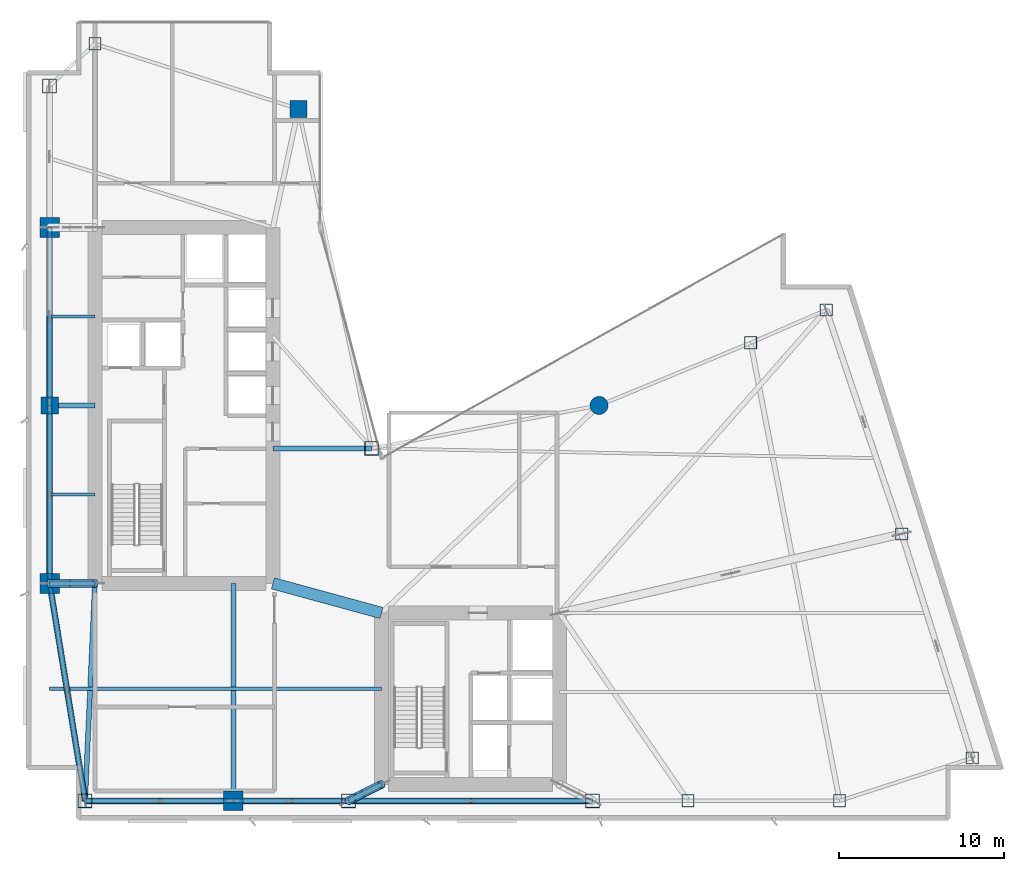
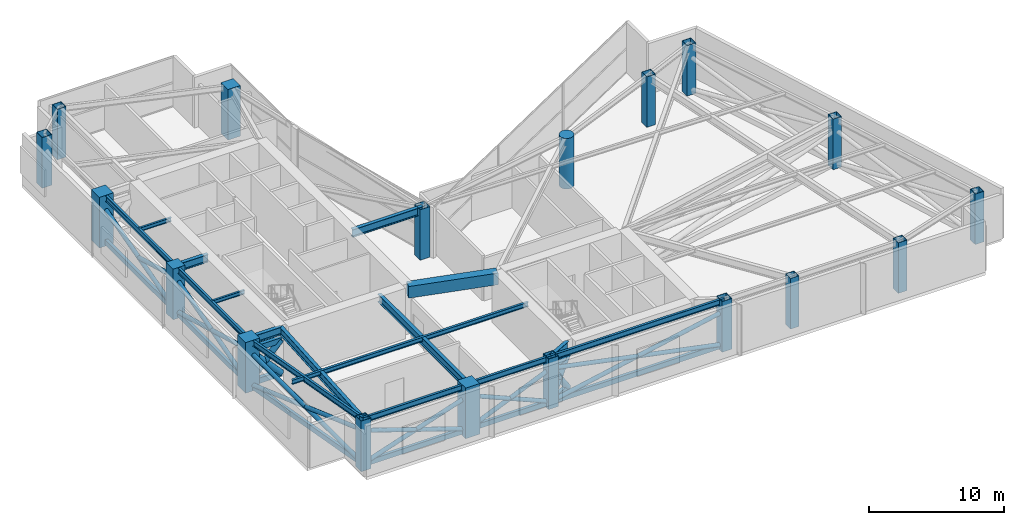
# One storey, part 1 of 19: 33 members, 18 columns, 16 beams.
"""IFC4 building model written with IfcOpenShell, lengths in metres."""

import ifcopenshell
import ifcopenshell.guid

model = None  # the IFC model being written
_history = None  # IfcOwnerHistory: only IFC2X3 demands one
_inside = {}  # id of a spatial element -> (the spatial element, [elements in it])
_under = {}  # id of a project, library or spatial element -> (it, [spatial elements below it])
_declared = {}  # id of a project -> (the project, [libraries it declares])
_typed = {}  # id of a type object -> (the type object, [elements of that type])
_made_of = {}  # id of a material, layer set ... -> (it, [elements and type objects made of it])


def new_model(schema):
    """Start an empty IFC model of exactly this schema.

    Asked for "IFC4X3", IfcOpenShell would pick the latest addendum, in which some entities
    have other attributes; the version numbers below select the first issue.
    IFC2X3 requires an IfcOwnerHistory on every rooted entity: one is made here for all.
    """
    global model, _history
    if schema == "IFC4X3":
        model = ifcopenshell.file(schema_version=(4, 3, 0, 0))
    else:
        model = ifcopenshell.file(schema=schema)
    _inside.clear()
    _under.clear()
    _declared.clear()
    _typed.clear()
    _made_of.clear()
    _history = None
    if model.schema == "IFC2X3":
        org = make("IfcOrganization", Name="unknown")
        user = make(
            "IfcPersonAndOrganization",
            ThePerson=make("IfcPerson", FamilyName="unknown"),
            TheOrganization=org,
        )
        app = make(
            "IfcApplication",
            ApplicationDeveloper=org,
            Version="unknown",
            ApplicationFullName="unknown",
            ApplicationIdentifier="unknown",
        )
        _history = make(
            "IfcOwnerHistory",
            OwningUser=user,
            OwningApplication=app,
            ChangeAction="ADDED",
            CreationDate=0,
        )
    return model


def make(cls, **values):
    """One entity of the class cls with the attributes given. An attribute that is None is left unset."""
    return model.create_entity(
        cls, **{name: value for name, value in values.items() if value is not None}
    )


def rooted(cls, **values):
    """An entity with a GlobalId (a new one), such as an element, a storey or a relation."""
    return make(cls, GlobalId=ifcopenshell.guid.new(), OwnerHistory=_history, **values)


def si_unit(unit_type, name, prefix=None):
    """IfcSIUnit, for example si_unit("LENGTHUNIT", "METRE", prefix="MILLI")."""
    return make("IfcSIUnit", UnitType=unit_type, Prefix=prefix, Name=name)


def assignment(units):
    """IfcUnitAssignment: the units of a project."""
    return None if units is None else make("IfcUnitAssignment", Units=units)


def point(xyz):
    """IfcCartesianPoint."""
    return None if xyz is None else make("IfcCartesianPoint", Coordinates=xyz)


def direction(xyz):
    """IfcDirection."""
    return None if xyz is None else make("IfcDirection", DirectionRatios=xyz)


def frame(location, z_axis=None, x_axis=None):
    """IfcAxis2Placement3D, a coordinate frame: its origin and axes. An axis left out is left unset."""
    return make(
        "IfcAxis2Placement3D",
        Location=point(location),
        Axis=direction(z_axis),
        RefDirection=direction(x_axis),
    )


def frame_2d(location, x_axis=None):
    """IfcAxis2Placement2D, a coordinate frame in the plane: its origin and x axis."""
    return make(
        "IfcAxis2Placement2D", Location=point(location), RefDirection=direction(x_axis)
    )


def origin():
    """The frame at (0, 0, 0) with its axes left unset."""
    return frame((0.0, 0.0, 0.0))


def origin_2d():
    """The frame at (0, 0) in the plane with its x axis left unset."""
    return frame_2d((0.0, 0.0))


def place(relative_to, where):
    """IfcLocalPlacement: puts the frame where relative to a parent placement (None: the world)."""
    return make(
        "IfcLocalPlacement", PlacementRelTo=relative_to, RelativePlacement=where
    )


def context(
    kind, dimensions, precision=None, world=None, true_north=None, identifier=None
):
    """IfcGeometricRepresentationContext, for example the 3D "Model" context."""
    return make(
        "IfcGeometricRepresentationContext",
        ContextIdentifier=identifier,
        ContextType=kind,
        CoordinateSpaceDimension=dimensions,
        Precision=precision,
        WorldCoordinateSystem=world,
        TrueNorth=true_north,
    )


def subcontext(parent, identifier, kind, view, scale=None):
    """IfcGeometricRepresentationSubContext, for example "Body" below "Model"."""
    return make(
        "IfcGeometricRepresentationSubContext",
        ContextIdentifier=identifier,
        ContextType=kind,
        ParentContext=parent,
        TargetScale=scale,
        TargetView=view,
    )


def project(units=None, contexts=None):
    """IfcProject with its units and contexts."""
    return rooted(
        "IfcProject",
        Name="project",
        RepresentationContexts=contexts,
        UnitsInContext=assignment(units),
    )


def spatial(cls, under=None, at=None, **own):
    """A site, building, storey or space (cls), placed at a placement, below another one or the project."""
    s = rooted(cls, ObjectPlacement=at, **own)
    if under is not None:
        _under.setdefault(under.id(), (under, []))[1].append(s)
    return s


def profile(cls, at=None, kind="AREA", **sizes):
    """A parametric profile (cls). Its sizes go by their IFC names, for example OverallWidth=200.0."""
    return make(cls, ProfileType=kind, Position=at, **sizes)


def rectangle(**sizes):
    """IfcRectangleProfileDef."""
    return profile("IfcRectangleProfileDef", **sizes)


def hollow_rectangle(**sizes):
    """IfcRectangleHollowProfileDef."""
    return profile("IfcRectangleHollowProfileDef", **sizes)


def circle(**sizes):
    """IfcCircleProfileDef."""
    return profile("IfcCircleProfileDef", **sizes)


def hollow_circle(**sizes):
    """IfcCircleHollowProfileDef."""
    return profile("IfcCircleHollowProfileDef", **sizes)


def i_section(**sizes):
    """IfcIShapeProfileDef."""
    return profile("IfcIShapeProfileDef", **sizes)


def extrude(swept, where, along, depth):
    """IfcExtrudedAreaSolid: the profile swept, set in the frame where, extruded along a direction by depth."""
    return make(
        "IfcExtrudedAreaSolid",
        SweptArea=swept,
        Position=where,
        ExtrudedDirection=direction(along),
        Depth=depth,
    )


def shape(context_of_items, identifier, shape_type, items):
    """IfcShapeRepresentation: the items that make up one representation, for example the "Body"."""
    return make(
        "IfcShapeRepresentation",
        ContextOfItems=context_of_items,
        RepresentationIdentifier=identifier,
        RepresentationType=shape_type,
        Items=items,
    )


def material(Name=None, Category=None):
    """IfcMaterial."""
    return make("IfcMaterial", Name=Name, Category=Category)


def material_profile(
    of_material, cross_section, Name=None, Category=None, Priority=None
):
    """IfcMaterialProfile: a cross section and its material."""
    return make(
        "IfcMaterialProfile",
        Name=Name,
        Material=of_material,
        Profile=cross_section,
        Priority=Priority,
        Category=Category,
    )


def profile_set(profiles, Name=None, composite=None):
    """IfcMaterialProfileSet."""
    return make(
        "IfcMaterialProfileSet",
        Name=Name,
        MaterialProfiles=profiles,
        CompositeProfile=composite,
    )


def made_of(thing, what):
    """Note that an element or type object is made of a material, layer set ...; save() writes the relation."""
    if what is not None:
        _made_of.setdefault(what.id(), (what, []))[1].append(thing)
    return thing


def type_object(cls, material=None, **own):
    """A type object (cls), such as IfcWallType, which elements share."""
    return made_of(rooted(cls, **own), material)


def element(
    cls,
    number,
    at=None,
    inside=None,
    cuts=None,
    type_object=None,
    material=None,
    context=None,
    identifier="Body",
    shape_type=None,
    held_by="IfcProductDefinitionShape",
    body=None,
    shapes=None,
    **own,
):
    """One element of the class cls, such as IfcWall. Its Tag is "e" and its number.

    at: its placement. inside: the storey or other place that contains it. cuts: it is an
    opening in that element (IfcRelVoidsElement). A single representation is given by context,
    identifier, shape_type and body (its items); several are given by shapes. held_by: the class
    of the entity that holds the representations. save() writes the other relations.
    """
    e = rooted(cls, Tag="e%d" % number, ObjectPlacement=at, **own)
    if body is not None:
        shapes = [shape(context, identifier, shape_type, body)]
    if shapes is not None:
        e.Representation = make(held_by, Representations=shapes)
    if inside is not None:
        _inside.setdefault(inside.id(), (inside, []))[1].append(e)
    if cuts is not None:
        rooted(
            "IfcRelVoidsElement", RelatingBuildingElement=cuts, RelatedOpeningElement=e
        )
    if type_object is not None:
        _typed.setdefault(type_object.id(), (type_object, []))[1].append(e)
    return made_of(e, material)


def aggregate(whole, parts):
    """IfcRelAggregates: a whole, such as a stair, and the parts it consists of."""
    return rooted("IfcRelAggregates", RelatingObject=whole, RelatedObjects=parts)


def save(model, path):
    """Write the relations noted so far, then the file.

    IfcRelAggregates (storeys below a building ...), IfcRelContainedInSpatialStructure (elements
    in a storey), IfcRelDefinesByType, IfcRelAssociatesMaterial and IfcRelDeclares: one each for
    every whole, place, type object, material and project.
    """
    for whole, parts in _under.values():
        aggregate(whole, parts)
    for where, things in _inside.values():
        rooted(
            "IfcRelContainedInSpatialStructure",
            RelatedElements=things,
            RelatingStructure=where,
        )
    for kind, things in _typed.values():
        rooted("IfcRelDefinesByType", RelatedObjects=things, RelatingType=kind)
    for what, things in _made_of.values():
        rooted("IfcRelAssociatesMaterial", RelatedObjects=things, RelatingMaterial=what)
    for by, libraries in _declared.values():
        rooted("IfcRelDeclares", RelatingContext=by, RelatedDefinitions=libraries)
    model.write(path)


model = new_model("IFC4")

# Units and contexts
model_context = context("Model", 3, precision=1e-05, world=origin(), true_north=direction((0.0, 1.0)))
body_context = subcontext(model_context, "Body", "Model", "MODEL_VIEW")
ifc_project = project(units=[si_unit("LENGTHUNIT", "METRE"), si_unit("AREAUNIT", "SQUARE_METRE"), si_unit("VOLUMEUNIT", "CUBIC_METRE"), si_unit("PLANEANGLEUNIT", "RADIAN"), si_unit("MASSUNIT", "GRAM", prefix="KILO")], contexts=[model_context])

# Site, building, storey
site_placement = place(None, origin())
site = spatial("IfcSite", under=ifc_project, at=site_placement, CompositionType="ELEMENT")
building_placement = place(site_placement, origin())
building = spatial("IfcBuilding", under=site, at=building_placement, Name="Calvorn Quay Hotel", CompositionType="ELEMENT")
storey_placement = place(building_placement, frame((0.0, 0.0, 139.199951171875)))
storey = spatial("IfcBuildingStorey", under=building, at=storey_placement, Name="L34", CompositionType="ELEMENT", Elevation=139.199951171875)

# Columns
ifc_material_1 = material(Name="Concrete C50", Category="concrete")
ifc_material_profile_1 = material_profile(ifc_material_1, rectangle(XDim=1.050048828125, YDim=1.050048828125, at=origin_2d()), Name="RC1050x1050")
ifc_profile_set_1 = profile_set([ifc_material_profile_1], Name="Concrete C50")
column_type_1 = type_object("IfcColumnType", Name="COL-RC-1050", PredefinedType="COLUMN", material=ifc_profile_set_1)
for number, where, z_axis, x_axis, name in (
    (1, (1.449951171875, 27.60009765625, 0.0), (0.0, 0.0, 1.0), (1.0, 0.0, 0.0), "Column C-W3 (L34)"),
    (2, (16.550048828125, 45.60009765625, 0.0), (0.0, 0.0, 1.0), (1.0, 0.0, 0.0), "Column C-IC1 (L34)"),
):
    element("IfcColumn", number, at=place(storey_placement, frame(where, z_axis=z_axis, x_axis=x_axis)), inside=storey, type_object=column_type_1, Name=name, PredefinedType="COLUMN", context=body_context, shape_type="SweptSolid", body=[
        extrude(rectangle(XDim=1.050048828125, YDim=1.050048828125, at=origin_2d()), origin(), (0.0, 0.0, 1.0), 4.56005859375),
    ])
ifc_material_2 = material(Name="Concrete C50", Category="concrete")
ifc_material_profile_2 = material_profile(ifc_material_2, rectangle(XDim=1.199951171875, YDim=1.199951171875, at=origin_2d()), Name="RC1200x1200")
ifc_profile_set_2 = profile_set([ifc_material_profile_2], Name="Concrete C50")
column_type_2 = type_object("IfcColumnType", Name="COL-RC-1200", PredefinedType="COLUMN", material=ifc_profile_set_2)
for number, where, z_axis, x_axis, name in (
    (3, (1.449951171875, 16.800048828125, 0.0), (0.0, 0.0, 1.0), (1.0, 0.0, 0.0), "Column C-W2 (L34)"),
    (4, (1.449951171875, 38.39990234375, 0.0), (0.0, 0.0, 1.0), (1.0, 0.0, 0.0), "Column C-W4 (L34)"),
    (5, (12.60009765625, 3.60009765625, 0.0), (0.0, 0.0, 1.0), (1.0, 0.0, 0.0), "Column C-S1 (L34)"),
):
    element("IfcColumn", number, at=place(storey_placement, frame(where, z_axis=z_axis, x_axis=x_axis)), inside=storey, type_object=column_type_2, Name=name, PredefinedType="COLUMN", context=body_context, shape_type="SweptSolid", body=[
        extrude(rectangle(XDim=1.199951171875, YDim=1.199951171875, at=origin_2d()), origin(), (0.0, 0.0, 1.0), 4.56005859375),
    ])
ifc_material_3 = material(Name="Concrete C50", Category="concrete")
ifc_material_profile_3 = material_profile(ifc_material_3, circle(Radius=0.550048828125, at=origin_2d()), Name="RCD1100")
ifc_profile_set_3 = profile_set([ifc_material_profile_3], Name="Concrete C50")
column_type_3 = type_object("IfcColumnType", Name="COL-RC-D1100", PredefinedType="COLUMN", material=ifc_profile_set_3)
column_placement = place(storey_placement, frame((34.800048828125, 27.60009765625, 0.0), z_axis=(0.0, 0.0, 1.0), x_axis=(1.0, 0.0, 0.0)))
element("IfcColumn", 6, at=column_placement, inside=storey, type_object=column_type_3, Name="Column C-NC1 (L34)", PredefinedType="COLUMN", context=body_context, shape_type="SweptSolid", body=[
    extrude(circle(Radius=0.550048828125, at=origin_2d()), origin(), (0.0, 0.0, 1.0), 4.56005859375),
])
ifc_material_4 = material(Name="Steel Q390GJC", Category="steel")
ifc_material_profile_4 = material_profile(ifc_material_4, hollow_rectangle(XDim=0.85009765625, YDim=0.85009765625, WallThickness=0.035888671875, at=origin_2d()), Name="BOX850x850x36")
ifc_profile_set_4 = profile_set([ifc_material_profile_4], Name="Steel Q390GJC")
column_type_4 = type_object("IfcColumnType", Name="COL-STL-Z2", PredefinedType="COLUMN", material=ifc_profile_set_4)
for number, where, z_axis, x_axis, name in (
    (7, (3.60009765625, 3.60009765625, 0.0), (0.0, 0.0, 1.0), (1.0, 0.0, 0.0), "Column C-W1 (L34)"),
    (8, (1.449951171875, 47.0, 0.0), (0.0, 0.0, 1.0), (1.0, 0.0, 0.0), "Column C-W5 (L34)"),
    (9, (21.0, 25.0, 0.0), (0.0, 0.0, 1.0), (1.0, 0.0, 0.0), "Column C-IC2 (L34)"),
    (10, (19.60009765625, 3.60009765625, 0.0), (0.0, 0.0, 1.0), (1.0, 0.0, 0.0), "Column C-S2 (L34)"),
    (11, (34.39990234375, 3.60009765625, 0.0), (0.0, 0.0, 1.0), (1.0, 0.0, 0.0), "Column C-S3 (L34)"),
):
    element("IfcColumn", number, at=place(storey_placement, frame(where, z_axis=z_axis, x_axis=x_axis)), inside=storey, type_object=column_type_4, Name=name, PredefinedType="COLUMN", context=body_context, shape_type="SweptSolid", body=[
        extrude(hollow_rectangle(XDim=0.85009765625, YDim=0.85009765625, WallThickness=0.035888671875, at=origin_2d()), origin(), (0.0, 0.0, 1.0), 4.56005859375),
    ])
ifc_material_5 = material(Name="Steel Q390GJC", Category="steel")
ifc_material_profile_5 = material_profile(ifc_material_5, hollow_rectangle(XDim=0.75, YDim=0.75, WallThickness=0.031982421875, at=origin_2d()), Name="BOX750x750x32")
ifc_profile_set_5 = profile_set([ifc_material_profile_5], Name="Steel Q390GJC")
column_type_5 = type_object("IfcColumnType", Name="COL-STL-Z3", PredefinedType="COLUMN", material=ifc_profile_set_5)
for number, where, z_axis, x_axis, name in (
    (12, (4.199951171875, 49.550048828125, 0.0), (0.0, 0.0, 1.0), (1.0, 0.0, 0.0), "Column C-NW1 (L34)"),
    (13, (40.199951171875, 3.60009765625, 0.0), (0.0, 0.0, 1.0), (1.0, 0.0, 0.0), "Column C-S4 (L34)"),
    (14, (49.39990234375, 3.60009765625, 0.0), (0.0, 0.0, 1.0), (1.0, 0.0, 0.0), "Column C-S5 (L34)"),
    (15, (44.0, 31.39990234375, 0.0), (0.0, 0.0, 1.0), (1.0, 0.0, 0.0), "Column C-NC2 (L34)"),
    (16, (57.4609375, 6.199951171875, 0.0), (0.0, 0.0, 1.0), (1.0, 0.0, 0.0), "Column C-ET1 (L34)"),
    (17, (53.176025390625, 19.800048828125, 0.0), (0.0, 0.0, 1.0), (1.0, 0.0, 0.0), "Column C-ET2 (L34)"),
    (18, (48.591064453125, 33.39990234375, 0.0), (0.0, 0.0, 1.0), (1.0, 0.0, 0.0), "Column C-ET3 (L34)"),
):
    element("IfcColumn", number, at=place(storey_placement, frame(where, z_axis=z_axis, x_axis=x_axis)), inside=storey, type_object=column_type_5, Name=name, PredefinedType="COLUMN", context=body_context, shape_type="SweptSolid", body=[
        extrude(hollow_rectangle(XDim=0.75, YDim=0.75, WallThickness=0.031982421875, at=origin_2d()), origin(), (0.0, 0.0, 1.0), 4.56005859375),
    ])

# Beams
ifc_material_6 = material(Name="Steel Q390GJC", Category="steel")
ifc_material_profile_6 = material_profile(ifc_material_6, i_section(OverallWidth=0.300048828125, OverallDepth=0.699951171875, WebThickness=0.012939453125, FlangeThickness=0.02392578125, FilletRadius=0.02392578125, at=origin_2d()), Name="HN700x300x13x24")
ifc_profile_set_6 = profile_set([ifc_material_profile_6], Name="Steel Q390GJC")
beam_type_1 = type_object("IfcBeamType", Name="BM-GIRD-MAIN", PredefinedType="BEAM", material=ifc_profile_set_6)
beam_1_placement = place(storey_placement, frame((3.60009765625, 3.60009765625, 4.18994140625), z_axis=(0.045396765494, 0.998969035397, 0.0), x_axis=(-0.998969035397, 0.045396765494, 0.0)))
element("IfcBeam", 19, at=beam_1_placement, inside=storey, type_object=beam_type_1, Name="Beam BG-L34-W0", PredefinedType="BEAM", context=body_context, shape_type="SweptSolid", body=[
    extrude(i_section(OverallWidth=0.300048828125, OverallDepth=0.699951171875, WebThickness=0.012939453125, FlangeThickness=0.02392578125, FilletRadius=0.02392578125, at=origin_2d()), origin(), (0.0, 0.0, 1.0), 13.213623046875),
])
for number, where, z_axis, x_axis, name in (
    (20, (1.449951171875, 16.800048828125, 4.18994140625), (1.0, 0.0, 0.0), (0.0, 1.0, 0.0), "Beam BG-L34-W1"),
    (21, (1.449951171875, 27.60009765625, 4.18994140625), (1.0, 0.0, 0.0), (0.0, 1.0, 0.0), "Beam BG-L34-W2"),
):
    element("IfcBeam", number, at=place(storey_placement, frame(where, z_axis=z_axis, x_axis=x_axis)), inside=storey, type_object=beam_type_1, Name=name, PredefinedType="BEAM", context=body_context, shape_type="SweptSolid", body=[
        extrude(i_section(OverallWidth=0.300048828125, OverallDepth=0.699951171875, WebThickness=0.012939453125, FlangeThickness=0.02392578125, FilletRadius=0.02392578125, at=origin_2d()), origin(), (0.0, 0.0, 1.0), 2.75),
    ])
beam_2_placement = place(storey_placement, frame((21.0, 25.0, 4.18994140625), z_axis=(-1.0, 0.0, 0.0), x_axis=(0.0, -1.0, 0.0)))
element("IfcBeam", 22, at=beam_2_placement, inside=storey, type_object=beam_type_1, Name="Beam BG-L34-W7", PredefinedType="BEAM", context=body_context, shape_type="SweptSolid", body=[
    extrude(i_section(OverallWidth=0.300048828125, OverallDepth=0.699951171875, WebThickness=0.012939453125, FlangeThickness=0.02392578125, FilletRadius=0.02392578125, at=origin_2d()), origin(), (0.0, 0.0, 1.0), 6.0),
])
beam_3_placement = place(storey_placement, frame((12.60009765625, 3.60009765625, 4.18994140625), z_axis=(0.0, 1.0, 0.0), x_axis=(-1.0, 0.0, 0.0)))
element("IfcBeam", 23, at=beam_3_placement, inside=storey, type_object=beam_type_1, Name="Beam BG-L34-S1", PredefinedType="BEAM", context=body_context, shape_type="SweptSolid", body=[
    extrude(i_section(OverallWidth=0.300048828125, OverallDepth=0.699951171875, WebThickness=0.012939453125, FlangeThickness=0.02392578125, FilletRadius=0.02392578125, at=origin_2d()), origin(), (0.0, 0.0, 1.0), 13.199951171875),
])
beam_4_placement = place(storey_placement, frame((19.60009765625, 3.60009765625, 4.18994140625), z_axis=(0.894427191, 0.4472135955, 0.0), x_axis=(-0.4472135955, 0.894427191, 0.0)))
element("IfcBeam", 24, at=beam_4_placement, inside=storey, type_object=beam_type_1, Name="Beam BG-L34-S2", PredefinedType="BEAM", context=body_context, shape_type="SweptSolid", body=[
    extrude(i_section(OverallWidth=0.300048828125, OverallDepth=0.699951171875, WebThickness=0.012939453125, FlangeThickness=0.02392578125, FilletRadius=0.02392578125, at=origin_2d()), origin(), (0.0, 0.0, 1.0), 2.236083984375),
])
ifc_material_7 = material(Name="Steel Q355B", Category="steel")
ifc_material_profile_7 = material_profile(ifc_material_7, i_section(OverallWidth=0.175048828125, OverallDepth=0.35009765625, WebThickness=0.007080078125, FlangeThickness=0.010986328125, FilletRadius=0.013916015625, at=origin_2d()), Name="HN350x175x7x11")
ifc_profile_set_7 = profile_set([ifc_material_profile_7], Name="Steel Q355B")
beam_type_2 = type_object("IfcBeamType", Name="BM-JOIST-SEC", PredefinedType="JOIST", material=ifc_profile_set_7)
for number, where, z_axis, x_axis, name in (
    (25, (1.449951171875, 22.199951171875, 4.364990234375), (1.0, 0.0, 0.0), (0.0, 1.0, 0.0), "Beam BJ-L34-W3"),
    (26, (1.449951171875, 33.0, 4.364990234375), (1.0, 0.0, 0.0), (0.0, 1.0, 0.0), "Beam BJ-L34-W4"),
):
    element("IfcBeam", number, at=place(storey_placement, frame(where, z_axis=z_axis, x_axis=x_axis)), inside=storey, type_object=beam_type_2, Name=name, PredefinedType="JOIST", context=body_context, shape_type="SweptSolid", body=[
        extrude(i_section(OverallWidth=0.175048828125, OverallDepth=0.35009765625, WebThickness=0.007080078125, FlangeThickness=0.010986328125, FilletRadius=0.013916015625, at=origin_2d()), origin(), (0.0, 0.0, 1.0), 2.75),
    ])
ifc_material_8 = material(Name="Steel Q355B", Category="steel")
ifc_material_profile_8 = material_profile(ifc_material_8, i_section(OverallWidth=0.199951171875, OverallDepth=0.39990234375, WebThickness=0.008056640625, FlangeThickness=0.012939453125, FilletRadius=0.01611328125, at=origin_2d()), Name="HN400x200x8x13")
ifc_profile_set_8 = profile_set([ifc_material_profile_8], Name="Steel Q355B")
beam_type_3 = type_object("IfcBeamType", Name="BM-JOIST-TYP", PredefinedType="JOIST", material=ifc_profile_set_8)
beam_5_placement = place(storey_placement, frame((1.449951171875, 10.39990234375, 4.340087890625), z_axis=(1.0, 0.0, 0.0), x_axis=(0.0, 1.0, 0.0)))
element("IfcBeam", 27, at=beam_5_placement, inside=storey, type_object=beam_type_3, Name="Beam BJ-L34-W1", PredefinedType="JOIST", context=body_context, shape_type="SweptSolid", body=[
    extrude(i_section(OverallWidth=0.199951171875, OverallDepth=0.39990234375, WebThickness=0.008056640625, FlangeThickness=0.012939453125, FilletRadius=0.01611328125, at=origin_2d()), origin(), (0.0, 0.0, 1.0), 20.150146484375),
])
ifc_material_9 = material(Name="Concrete C50", Category="concrete")
ifc_material_profile_9 = material_profile(ifc_material_9, rectangle(XDim=0.699951171875, YDim=1.050048828125, at=origin_2d()), Name="RCB700x1050")
ifc_profile_set_9 = profile_set([ifc_material_profile_9], Name="Concrete C50")
beam_type_4 = type_object("IfcBeamType", Name="BM-RC-LINK-700x1050", PredefinedType="BEAM", material=ifc_profile_set_9)
beam_6_placement = place(storey_placement, frame((15.0, 16.800048828125, 4.01513671875), z_axis=(0.964762997686, -0.263120425462, 0.0), x_axis=(0.263120425462, 0.964762997686, 0.0)))
element("IfcBeam", 28, at=beam_6_placement, inside=storey, type_object=beam_type_4, Name="Beam BCL-L34-01", PredefinedType="BEAM", context=body_context, shape_type="SweptSolid", body=[
    extrude(rectangle(XDim=0.699951171875, YDim=1.050048828125, at=origin_2d()), origin(), (0.0, 0.0, 1.0), 6.841064453125),
])
ifc_material_10 = material(Name="Steel Q355B", Category="steel")
ifc_material_profile_10 = material_profile(ifc_material_10, i_section(OverallWidth=0.199951171875, OverallDepth=0.5, WebThickness=0.010009765625, FlangeThickness=0.01611328125, FilletRadius=0.01611328125, at=origin_2d()), Name="HN500x200x10x16")
ifc_profile_set_10 = profile_set([ifc_material_profile_10], Name="Steel Q355B")
beam_type_5 = type_object("IfcBeamType", Name="BM-SPANDREL-Z1", PredefinedType="SPANDREL", material=ifc_profile_set_10)
beam_7_placement = place(storey_placement, frame((3.60009765625, 3.60009765625, 4.2900390625), z_axis=(-0.16077155054, 0.986991645627, 0.0), x_axis=(-0.986991645627, -0.16077155054, 0.0)))
element("IfcBeam", 29, at=beam_7_placement, inside=storey, type_object=beam_type_5, Name="Beam BSP-L34-W1", PredefinedType="SPANDREL", context=body_context, shape_type="SweptSolid", body=[
    extrude(i_section(OverallWidth=0.199951171875, OverallDepth=0.5, WebThickness=0.010009765625, FlangeThickness=0.01611328125, FilletRadius=0.01611328125, at=origin_2d()), origin(), (0.0, 0.0, 1.0), 13.3740234375),
])
beam_8_placement = place(storey_placement, frame((1.449951171875, 16.800048828125, 4.2900390625), z_axis=(0.0, 1.0, 0.0), x_axis=(-1.0, 0.0, 0.0)))
element("IfcBeam", 30, at=beam_8_placement, inside=storey, type_object=beam_type_5, Name="Beam BSP-L34-W2", PredefinedType="SPANDREL", context=body_context, shape_type="SweptSolid", body=[
    extrude(i_section(OverallWidth=0.199951171875, OverallDepth=0.5, WebThickness=0.010009765625, FlangeThickness=0.01611328125, FilletRadius=0.01611328125, at=origin_2d()), origin(), (0.0, 0.0, 1.0), 10.800048828125),
])
beam_9_placement = place(storey_placement, frame((1.449951171875, 27.60009765625, 4.2900390625), z_axis=(0.0, 1.0, 0.0), x_axis=(-1.0, 0.0, 0.0)))
element("IfcBeam", 31, at=beam_9_placement, inside=storey, type_object=beam_type_5, Name="Beam BSP-L34-W3", PredefinedType="SPANDREL", context=body_context, shape_type="SweptSolid", body=[
    extrude(i_section(OverallWidth=0.199951171875, OverallDepth=0.5, WebThickness=0.010009765625, FlangeThickness=0.01611328125, FilletRadius=0.01611328125, at=origin_2d()), origin(), (0.0, 0.0, 1.0), 10.7998046875),
])
beam_10_placement = place(storey_placement, frame((3.60009765625, 3.60009765625, 4.2900390625), z_axis=(1.0, 0.0, 0.0), x_axis=(0.0, 1.0, 0.0)))
element("IfcBeam", 32, at=beam_10_placement, inside=storey, type_object=beam_type_5, Name="Beam BSP-L34-S1", PredefinedType="SPANDREL", context=body_context, shape_type="SweptSolid", body=[
    extrude(i_section(OverallWidth=0.199951171875, OverallDepth=0.5, WebThickness=0.010009765625, FlangeThickness=0.01611328125, FilletRadius=0.01611328125, at=origin_2d()), origin(), (0.0, 0.0, 1.0), 9.0),
])
beam_11_placement = place(storey_placement, frame((12.60009765625, 3.60009765625, 4.2900390625), z_axis=(1.0, 0.0, 0.0), x_axis=(0.0, 1.0, 0.0)))
element("IfcBeam", 33, at=beam_11_placement, inside=storey, type_object=beam_type_5, Name="Beam BSP-L34-S2", PredefinedType="SPANDREL", context=body_context, shape_type="SweptSolid", body=[
    extrude(i_section(OverallWidth=0.199951171875, OverallDepth=0.5, WebThickness=0.010009765625, FlangeThickness=0.01611328125, FilletRadius=0.01611328125, at=origin_2d()), origin(), (0.0, 0.0, 1.0), 7.0),
])
beam_12_placement = place(storey_placement, frame((19.60009765625, 3.60009765625, 4.2900390625), z_axis=(1.0, 0.0, 0.0), x_axis=(0.0, 1.0, 0.0)))
element("IfcBeam", 34, at=beam_12_placement, inside=storey, type_object=beam_type_5, Name="Beam BSP-L34-S3", PredefinedType="SPANDREL", context=body_context, shape_type="SweptSolid", body=[
    extrude(i_section(OverallWidth=0.199951171875, OverallDepth=0.5, WebThickness=0.010009765625, FlangeThickness=0.01611328125, FilletRadius=0.01611328125, at=origin_2d()), origin(), (0.0, 0.0, 1.0), 14.7998046875),
])

# Members
ifc_material_11 = material(Name="Steel Q390GJC", Category="steel")
ifc_material_profile_11 = material_profile(ifc_material_11, hollow_rectangle(XDim=0.25, YDim=0.449951171875, WallThickness=0.01611328125, at=origin_2d()), Name="RHS450x250x16")
ifc_profile_set_11 = profile_set([ifc_material_profile_11], Name="Steel Q390GJC")
member_type_1 = type_object("IfcMemberType", Name="MEM-BELT-CHORD", PredefinedType="CHORD", material=ifc_profile_set_11)
member_1_placement = place(storey_placement, frame((3.60009765625, 3.60009765625, 0.35009765625), z_axis=(-0.16077155054, 0.986991645627, 0.0), x_axis=(-0.986991645627, -0.16077155054, 0.0)))
element("IfcMember", 35, at=member_1_placement, inside=storey, type_object=member_type_1, Name="Belt Truss Chord L34-BW1", PredefinedType="CHORD", context=body_context, shape_type="SweptSolid", body=[
    extrude(hollow_rectangle(XDim=0.25, YDim=0.449951171875, WallThickness=0.01611328125, at=origin_2d()), origin(), (0.0, 0.0, 1.0), 13.3740234375),
])
member_2_placement = place(storey_placement, frame((1.449951171875, 16.800048828125, 0.35009765625), z_axis=(0.0, 1.0, 0.0), x_axis=(-1.0, 0.0, 0.0)))
element("IfcMember", 36, at=member_2_placement, inside=storey, type_object=member_type_1, Name="Belt Truss Chord L34-BW2", PredefinedType="CHORD", context=body_context, shape_type="SweptSolid", body=[
    extrude(hollow_rectangle(XDim=0.25, YDim=0.449951171875, WallThickness=0.01611328125, at=origin_2d()), origin(), (0.0, 0.0, 1.0), 10.800048828125),
])
member_3_placement = place(storey_placement, frame((1.449951171875, 27.60009765625, 0.35009765625), z_axis=(0.0, 1.0, 0.0), x_axis=(-1.0, 0.0, 0.0)))
element("IfcMember", 37, at=member_3_placement, inside=storey, type_object=member_type_1, Name="Belt Truss Chord L34-BW3", PredefinedType="CHORD", context=body_context, shape_type="SweptSolid", body=[
    extrude(hollow_rectangle(XDim=0.25, YDim=0.449951171875, WallThickness=0.01611328125, at=origin_2d()), origin(), (0.0, 0.0, 1.0), 10.7998046875),
])
member_4_placement = place(storey_placement, frame((3.60009765625, 3.60009765625, 0.35009765625), z_axis=(1.0, 0.0, 0.0), x_axis=(0.0, 1.0, 0.0)))
element("IfcMember", 38, at=member_4_placement, inside=storey, type_object=member_type_1, Name="Belt Truss Chord L34-BS1", PredefinedType="CHORD", context=body_context, shape_type="SweptSolid", body=[
    extrude(hollow_rectangle(XDim=0.25, YDim=0.449951171875, WallThickness=0.01611328125, at=origin_2d()), origin(), (0.0, 0.0, 1.0), 9.0),
])
member_5_placement = place(storey_placement, frame((12.60009765625, 3.60009765625, 0.35009765625), z_axis=(1.0, 0.0, 0.0), x_axis=(0.0, 1.0, 0.0)))
element("IfcMember", 39, at=member_5_placement, inside=storey, type_object=member_type_1, Name="Belt Truss Chord L34-BS2", PredefinedType="CHORD", context=body_context, shape_type="SweptSolid", body=[
    extrude(hollow_rectangle(XDim=0.25, YDim=0.449951171875, WallThickness=0.01611328125, at=origin_2d()), origin(), (0.0, 0.0, 1.0), 7.0),
])
member_6_placement = place(storey_placement, frame((19.60009765625, 3.60009765625, 0.35009765625), z_axis=(1.0, 0.0, 0.0), x_axis=(0.0, 1.0, 0.0)))
element("IfcMember", 40, at=member_6_placement, inside=storey, type_object=member_type_1, Name="Belt Truss Chord L34-BS3", PredefinedType="CHORD", context=body_context, shape_type="SweptSolid", body=[
    extrude(hollow_rectangle(XDim=0.25, YDim=0.449951171875, WallThickness=0.01611328125, at=origin_2d()), origin(), (0.0, 0.0, 1.0), 14.7998046875),
])
ifc_material_12 = material(Name="Steel Q390GJC", Category="steel")
ifc_material_profile_12 = material_profile(ifc_material_12, hollow_circle(Radius=0.177978515625, WallThickness=0.013916015625, at=origin_2d()), Name="CHS356x14")
ifc_profile_set_12 = profile_set([ifc_material_profile_12], Name="Steel Q390GJC")
member_type_2 = type_object("IfcMemberType", Name="MEM-BELT-DIAG", PredefinedType="BRACE", material=ifc_profile_set_12)
member_7_placement = place(storey_placement, frame((3.60009765625, 3.60009765625, 0.35009765625), z_axis=(-0.156898242123, 0.963213041541, 0.21818244252), x_axis=(-0.986991645627, -0.16077155054, 0.0)))
element("IfcMember", 41, at=member_7_placement, inside=storey, type_object=member_type_2, Name="Belt Truss Continuous Brace L34-BW1A", PredefinedType="BRACE", context=body_context, shape_type="SweptSolid", body=[
    extrude(hollow_circle(Radius=0.177978515625, WallThickness=0.013916015625, at=origin_2d()), origin(), (0.0, 0.0, 1.0), 13.7041015625),
])
for number, where, z_axis, x_axis, name in (
    (42, (3.60009765625, 3.60009765625, 3.340087890625), (-0.156917701365, 0.963205318118, -0.21820254386), (-0.986988276812, -0.160792230647, 0.0), "Belt Truss Split Brace B1 L34-BW1"),
    (43, (2.52490234375, 10.199951171875, 1.844970703125), (-0.156878783156, 0.96322076399, -0.218162341419), (-0.986995013907, -0.160750870986, 0.0), "Belt Truss Split Brace B2 L34-BW1"),
):
    element("IfcMember", number, at=place(storey_placement, frame(where, z_axis=z_axis, x_axis=x_axis)), inside=storey, type_object=member_type_2, Name=name, PredefinedType="BRACE", context=body_context, shape_type="SweptSolid", body=[
        extrude(hollow_circle(Radius=0.177978515625, WallThickness=0.013916015625, at=origin_2d()), origin(), (0.0, 0.0, 1.0), 6.85205078125),
    ])
member_8_placement = place(storey_placement, frame((1.449951171875, 16.800048828125, 0.35009765625), z_axis=(0.0, 0.963748208979, 0.266813398634), x_axis=(-1.0, 0.0, 0.0)))
element("IfcMember", 44, at=member_8_placement, inside=storey, type_object=member_type_2, Name="Belt Truss Continuous Brace L34-BW2A", PredefinedType="BRACE", context=body_context, shape_type="SweptSolid", body=[
    extrude(hollow_circle(Radius=0.177978515625, WallThickness=0.013916015625, at=origin_2d()), origin(), (0.0, 0.0, 1.0), 11.206298828125),
])
member_9_placement = place(storey_placement, frame((1.449951171875, 16.800048828125, 3.340087890625), z_axis=(0.0, 0.963741055512, -0.266839236095), x_axis=(-1.0, 0.0, 0.0)))
element("IfcMember", 45, at=member_9_placement, inside=storey, type_object=member_type_2, Name="Belt Truss Split Brace B1 L34-BW2", PredefinedType="BRACE", context=body_context, shape_type="SweptSolid", body=[
    extrude(hollow_circle(Radius=0.177978515625, WallThickness=0.013916015625, at=origin_2d()), origin(), (0.0, 0.0, 1.0), 5.60302734375),
])
member_10_placement = place(storey_placement, frame((1.449951171875, 22.199951171875, 1.844970703125), z_axis=(0.0, 0.963755361535, -0.266787561765), x_axis=(-1.0, 0.0, 0.0)))
element("IfcMember", 46, at=member_10_placement, inside=storey, type_object=member_type_2, Name="Belt Truss Split Brace B2 L34-BW2", PredefinedType="BRACE", context=body_context, shape_type="SweptSolid", body=[
    extrude(hollow_circle(Radius=0.177978515625, WallThickness=0.013916015625, at=origin_2d()), origin(), (0.0, 0.0, 1.0), 5.603271484375),
])
member_11_placement = place(storey_placement, frame((1.449951171875, 27.60009765625, 0.35009765625), z_axis=(0.0, 0.963746657996, 0.266819000825), x_axis=(-1.0, 0.0, 0.0)))
element("IfcMember", 47, at=member_11_placement, inside=storey, type_object=member_type_2, Name="Belt Truss Continuous Brace L34-BW3A", PredefinedType="BRACE", context=body_context, shape_type="SweptSolid", body=[
    extrude(hollow_circle(Radius=0.177978515625, WallThickness=0.013916015625, at=origin_2d()), origin(), (0.0, 0.0, 1.0), 11.2060546875),
])
member_12_placement = place(storey_placement, frame((1.449951171875, 27.60009765625, 3.340087890625), z_axis=(0.0, 0.963741055512, -0.266839236095), x_axis=(-1.0, 0.0, 0.0)))
element("IfcMember", 48, at=member_12_placement, inside=storey, type_object=member_type_2, Name="Belt Truss Split Brace B1 L34-BW3", PredefinedType="BRACE", context=body_context, shape_type="SweptSolid", body=[
    extrude(hollow_circle(Radius=0.177978515625, WallThickness=0.013916015625, at=origin_2d()), origin(), (0.0, 0.0, 1.0), 5.60302734375),
])
member_13_placement = place(storey_placement, frame((3.60009765625, 3.60009765625, 0.35009765625), z_axis=(0.948999464539, 0.0, 0.315277681267), x_axis=(0.0, 1.0, 0.0)))
element("IfcMember", 49, at=member_13_placement, inside=storey, type_object=member_type_2, Name="Belt Truss Continuous Brace L34-BS1A", PredefinedType="BRACE", context=body_context, shape_type="SweptSolid", body=[
    extrude(hollow_circle(Radius=0.177978515625, WallThickness=0.013916015625, at=origin_2d()), origin(), (0.0, 0.0, 1.0), 9.483642578125),
])
member_14_placement = place(storey_placement, frame((3.60009765625, 3.60009765625, 3.340087890625), z_axis=(0.948991761978, 0.0, -0.315300865362), x_axis=(0.0, 1.0, 0.0)))
element("IfcMember", 50, at=member_14_placement, inside=storey, type_object=member_type_2, Name="Belt Truss Split Brace B1 L34-BS1", PredefinedType="BRACE", context=body_context, shape_type="SweptSolid", body=[
    extrude(hollow_circle(Radius=0.177978515625, WallThickness=0.013916015625, at=origin_2d()), origin(), (0.0, 0.0, 1.0), 4.741943359375),
])
member_15_placement = place(storey_placement, frame((8.10009765625, 3.60009765625, 1.844970703125), z_axis=(0.949007166659, 0.0, -0.315254496606), x_axis=(0.0, 1.0, 0.0)))
element("IfcMember", 51, at=member_15_placement, inside=storey, type_object=member_type_2, Name="Belt Truss Split Brace B2 L34-BS1", PredefinedType="BRACE", context=body_context, shape_type="SweptSolid", body=[
    extrude(hollow_circle(Radius=0.177978515625, WallThickness=0.013916015625, at=origin_2d()), origin(), (0.0, 0.0, 1.0), 4.74169921875),
])
member_16_placement = place(storey_placement, frame((12.60009765625, 3.60009765625, 0.35009765625), z_axis=(0.91962048889, 0.0, 0.392808040159), x_axis=(0.0, 1.0, 0.0)))
element("IfcMember", 52, at=member_16_placement, inside=storey, type_object=member_type_2, Name="Belt Truss Continuous Brace L34-BS2A", PredefinedType="BRACE", context=body_context, shape_type="SweptSolid", body=[
    extrude(hollow_circle(Radius=0.177978515625, WallThickness=0.013916015625, at=origin_2d()), origin(), (0.0, 0.0, 1.0), 7.61181640625),
])
for number, where, z_axis, x_axis, name in (
    (53, (12.60009765625, 3.60009765625, 3.340087890625), (0.919608902472, 0.0, -0.392835164533), (0.0, 1.0, 0.0), "Belt Truss Split Brace B1 L34-BS2"),
    (54, (16.10009765625, 3.60009765625, 1.844970703125), (0.9196320748, 0.0, -0.39278091476), (0.0, 1.0, 0.0), "Belt Truss Split Brace B2 L34-BS2"),
):
    element("IfcMember", number, at=place(storey_placement, frame(where, z_axis=z_axis, x_axis=x_axis)), inside=storey, type_object=member_type_2, Name=name, PredefinedType="BRACE", context=body_context, shape_type="SweptSolid", body=[
        extrude(hollow_circle(Radius=0.177978515625, WallThickness=0.013916015625, at=origin_2d()), origin(), (0.0, 0.0, 1.0), 3.805908203125),
    ])
member_17_placement = place(storey_placement, frame((19.60009765625, 3.60009765625, 0.35009765625), z_axis=(0.980196339569, 0.0, 0.198028118949), x_axis=(0.0, 1.0, 0.0)))
element("IfcMember", 55, at=member_17_placement, inside=storey, type_object=member_type_2, Name="Belt Truss Continuous Brace L34-BS3A", PredefinedType="BRACE", context=body_context, shape_type="SweptSolid", body=[
    extrude(hollow_circle(Radius=0.177978515625, WallThickness=0.013916015625, at=origin_2d()), origin(), (0.0, 0.0, 1.0), 15.098876953125),
])
for number, where, z_axis, x_axis, name in (
    (56, (19.60009765625, 3.60009765625, 3.340087890625), (0.980193200848, 0.0, -0.198043654305), (0.0, 1.0, 0.0), "Belt Truss Split Brace B1 L34-BS3"),
    (57, (27.0, 3.60009765625, 1.844970703125), (0.980199478064, 0.0, -0.198012583444), (0.0, 1.0, 0.0), "Belt Truss Split Brace B2 L34-BS3"),
):
    element("IfcMember", number, at=place(storey_placement, frame(where, z_axis=z_axis, x_axis=x_axis)), inside=storey, type_object=member_type_2, Name=name, PredefinedType="BRACE", context=body_context, shape_type="SweptSolid", body=[
        extrude(hollow_circle(Radius=0.177978515625, WallThickness=0.013916015625, at=origin_2d()), origin(), (0.0, 0.0, 1.0), 7.54931640625),
    ])
ifc_material_13 = material(Name="Steel Q390GJC", Category="steel")
ifc_material_profile_13 = material_profile(ifc_material_13, hollow_rectangle(XDim=0.300048828125, YDim=0.5, WallThickness=0.02001953125, at=origin_2d()), Name="RHS500x300x20")
ifc_profile_set_13 = profile_set([ifc_material_profile_13], Name="Steel Q390GJC")
member_type_3 = type_object("IfcMemberType", Name="MEM-OUTRIGGER-CHORD", PredefinedType="CHORD", material=ifc_profile_set_13)
for number, where, z_axis, x_axis, name in (
    (58, (4.199951171875, 16.800048828125, 3.340087890625), (-1.0, 0.0, 0.0), (0.0, -1.0, 0.0), "Outrigger Top Chord L34-OW1"),
    (59, (4.199951171875, 16.800048828125, 0.35009765625), (-1.0, 0.0, 0.0), (0.0, -1.0, 0.0), "Outrigger Bottom Chord L34-OW1"),
):
    element("IfcMember", number, at=place(storey_placement, frame(where, z_axis=z_axis, x_axis=x_axis)), inside=storey, type_object=member_type_3, Name=name, PredefinedType="CHORD", context=body_context, shape_type="SweptSolid", body=[
        extrude(hollow_rectangle(XDim=0.300048828125, YDim=0.5, WallThickness=0.02001953125, at=origin_2d()), origin(), (0.0, 0.0, 1.0), 2.75),
    ])
for number, where, z_axis, x_axis, name in (
    (60, (21.60009765625, 4.60009765625, 3.340087890625), (-0.894427191, -0.4472135955, 0.0), (0.4472135955, -0.894427191, 0.0), "Outrigger Top Chord L34-OE1"),
    (61, (21.60009765625, 4.60009765625, 0.35009765625), (-0.894427191, -0.4472135955, 0.0), (0.4472135955, -0.894427191, 0.0), "Outrigger Bottom Chord L34-OE1"),
):
    element("IfcMember", number, at=place(storey_placement, frame(where, z_axis=z_axis, x_axis=x_axis)), inside=storey, type_object=member_type_3, Name=name, PredefinedType="CHORD", context=body_context, shape_type="SweptSolid", body=[
        extrude(hollow_rectangle(XDim=0.300048828125, YDim=0.5, WallThickness=0.02001953125, at=origin_2d()), origin(), (0.0, 0.0, 1.0), 2.236083984375),
    ])
ifc_material_14 = material(Name="Steel Q390GJC", Category="steel")
ifc_material_profile_14 = material_profile(ifc_material_14, hollow_circle(Radius=0.25, WallThickness=0.02001953125, at=origin_2d()), Name="CHS500x20")
ifc_profile_set_14 = profile_set([ifc_material_profile_14], Name="Steel Q390GJC")
member_type_4 = type_object("IfcMemberType", Name="MEM-OUTRIGGER-DIAG1", PredefinedType="BRACE", material=ifc_profile_set_14)
member_18_placement = place(storey_placement, frame((4.199951171875, 16.800048828125, 0.35009765625), z_axis=(-0.67695106482, 0.0, 0.736028026531), x_axis=(0.0, -1.0, 0.0)))
element("IfcMember", 62, at=member_18_placement, inside=storey, type_object=member_type_4, Name="Outrigger Continuous Diagonal L34-OW1", PredefinedType="BRACE", context=body_context, shape_type="SweptSolid", body=[
    extrude(hollow_circle(Radius=0.25, WallThickness=0.02001953125, at=origin_2d()), origin(), (0.0, 0.0, 1.0), 4.062255859375),
])
member_19_placement = place(storey_placement, frame((4.199951171875, 16.800048828125, 3.340087890625), z_axis=(-0.67692112114, 0.0, -0.736055565671), x_axis=(0.0, -1.0, 0.0)))
element("IfcMember", 63, at=member_19_placement, inside=storey, type_object=member_type_4, Name="Outrigger Split Diagonal A L34-OW1", PredefinedType="BRACE", context=body_context, shape_type="SweptSolid", body=[
    extrude(hollow_circle(Radius=0.25, WallThickness=0.02001953125, at=origin_2d()), origin(), (0.0, 0.0, 1.0), 2.03125),
])
member_20_placement = place(storey_placement, frame((2.824951171875, 16.800048828125, 1.844970703125), z_axis=(-0.676981010029, 0.0, -0.736000483737), x_axis=(0.0, -1.0, 0.0)))
element("IfcMember", 64, at=member_20_placement, inside=storey, type_object=member_type_4, Name="Outrigger Split Diagonal B L34-OW1", PredefinedType="BRACE", context=body_context, shape_type="SweptSolid", body=[
    extrude(hollow_circle(Radius=0.25, WallThickness=0.02001953125, at=origin_2d()), origin(), (0.0, 0.0, 1.0), 2.031005859375),
])
member_21_placement = place(storey_placement, frame((21.60009765625, 4.60009765625, 0.35009765625), z_axis=(-0.535670784695, -0.267835392348, 0.800825207539), x_axis=(0.4472135955, -0.894427191, 0.0)))
element("IfcMember", 65, at=member_21_placement, inside=storey, type_object=member_type_4, Name="Outrigger Continuous Diagonal L34-OE1", PredefinedType="BRACE", context=body_context, shape_type="SweptSolid", body=[
    extrude(hollow_circle(Radius=0.25, WallThickness=0.02001953125, at=origin_2d()), origin(), (0.0, 0.0, 1.0), 3.733642578125),
])
member_22_placement = place(storey_placement, frame((21.60009765625, 4.60009765625, 3.340087890625), z_axis=(-0.535642735053, -0.267821367526, -0.800848659537), x_axis=(0.4472135955, -0.894427191, 0.0)))
element("IfcMember", 66, at=member_22_placement, inside=storey, type_object=member_type_4, Name="Outrigger Split Diagonal A L34-OE1", PredefinedType="BRACE", context=body_context, shape_type="SweptSolid", body=[
    extrude(hollow_circle(Radius=0.25, WallThickness=0.02001953125, at=origin_2d()), origin(), (0.0, 0.0, 1.0), 1.866943359375),
])
member_23_placement = place(storey_placement, frame((20.60009765625, 4.10009765625, 1.844970703125), z_axis=(-0.535698836454, -0.267849418227, -0.800801751857), x_axis=(0.4472135955, -0.894427191, 0.0)))
element("IfcMember", 67, at=member_23_placement, inside=storey, type_object=member_type_4, Name="Outrigger Split Diagonal B L34-OE1", PredefinedType="BRACE", context=body_context, shape_type="SweptSolid", body=[
    extrude(hollow_circle(Radius=0.25, WallThickness=0.02001953125, at=origin_2d()), origin(), (0.0, 0.0, 1.0), 1.86669921875),
])

save(model, "model.ifc")
